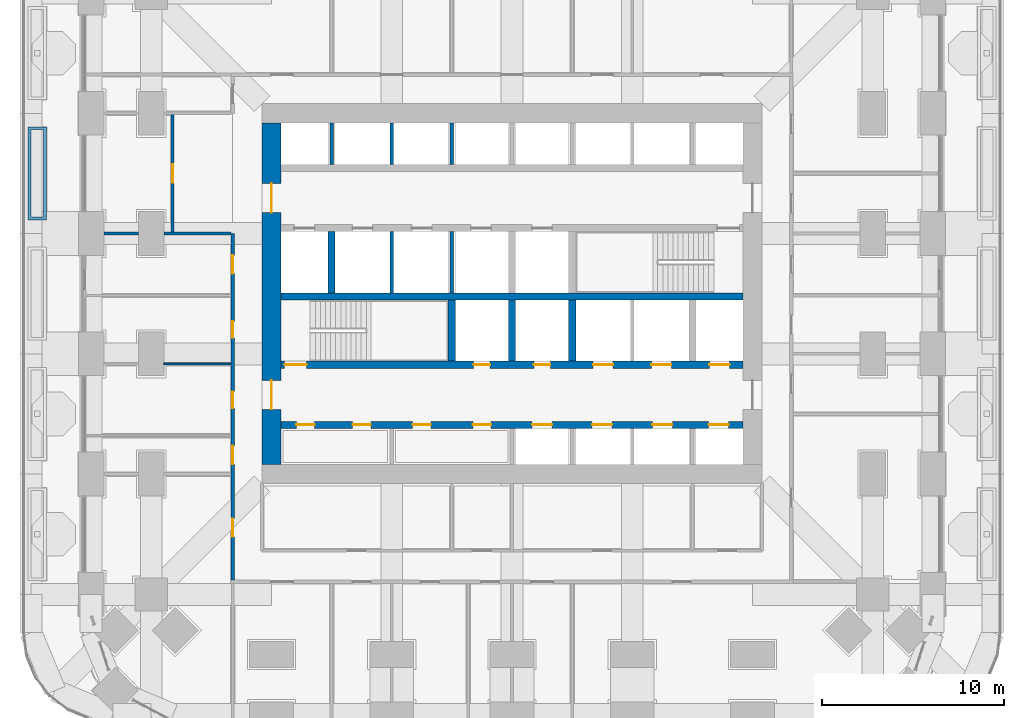
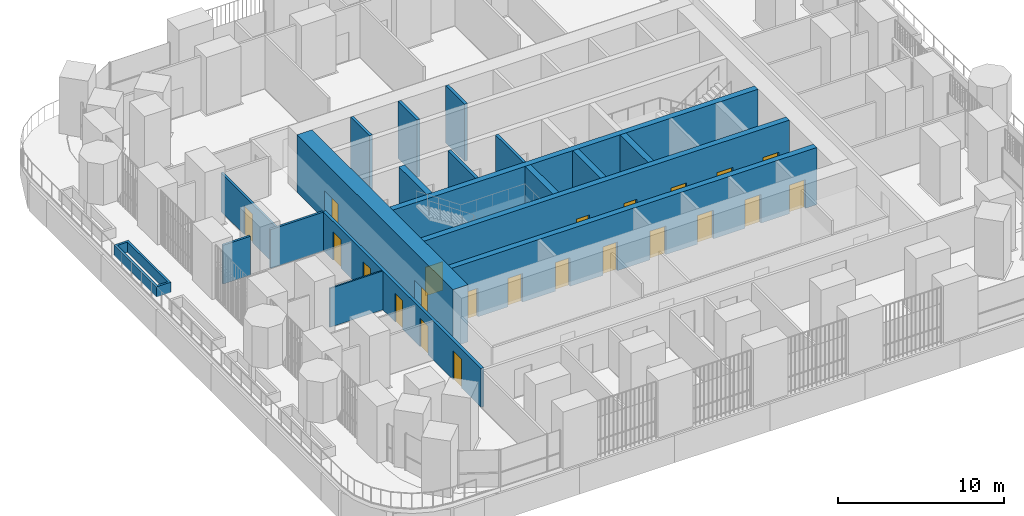
# One storey, part 18 of 27: 22 doors, 19 walls, 22 openings.
"""IFC4 building model written with IfcOpenShell, lengths in metres."""

from ifc_helpers import new_model, si_unit, direction, frame, frame_2d, origin, place, context, subcontext, project, spatial, polyline, rectangle, outline, extrude, material, layer, layer_set, type_object, element, fill, save


model = new_model("IFC4")

# Units and contexts
model_context = context("Model", 3, precision=1e-05, world=origin(), true_north=direction((0.0, 1.0)))
body_context = subcontext(model_context, "Body", "Model", "MODEL_VIEW")
ifc_project = project(units=[si_unit("LENGTHUNIT", "METRE"), si_unit("AREAUNIT", "SQUARE_METRE"), si_unit("VOLUMEUNIT", "CUBIC_METRE"), si_unit("PLANEANGLEUNIT", "RADIAN"), si_unit("MASSUNIT", "GRAM", prefix="KILO")], contexts=[model_context])

# Site, building, storey
site_placement = place(None, origin())
site = spatial("IfcSite", under=ifc_project, at=site_placement, CompositionType="ELEMENT")
building_placement = place(site_placement, origin())
building = spatial("IfcBuilding", under=site, at=building_placement, Name="Cobogo Forest Laboratory Tower", CompositionType="ELEMENT")
storey_placement = place(building_placement, frame((0.0, 0.0, 82.199951171875)))
storey = spatial("IfcBuildingStorey", under=building, at=storey_placement, Name="L18", CompositionType="ELEMENT", Elevation=82.199951171875)

# Wall, openings, doors
ifc_material_1 = material(Name="Concrete HA-50 (C50/60)", Category="concrete")
ifc_layer_1 = layer(ifc_material_1, 0.39990234375)
ifc_layer_set_1 = layer_set([ifc_layer_1], Name="CI400 core inner wall 400")
wall_type_1 = type_object("IfcWallType", Name="CI400 core inner wall 400", PredefinedType="SHEAR", material=ifc_layer_set_1)
wall_1_placement = place(storey_placement, frame((13.72509765625, 15.89990234375, 0.0), z_axis=(0.0, 0.0, 1.0), x_axis=(1.0, 0.0, 0.0)))
wall_1 = element("IfcWall", 1, at=wall_1_placement, inside=storey, type_object=wall_type_1, Name="Core wall CI-15.9 L18", PredefinedType="SHEAR", context=body_context, shape_type="SweptSolid", body=[
    extrude(rectangle(XDim=25.349853515625, YDim=0.39990234375, at=frame_2d((12.6748046875, 0.0))), origin(), (0.0, 0.0, 1.0), 4.199951171875),
])
opening_1_placement = place(wall_1_placement, frame((0.83740234375, 0.0, 0.0)))
opening_1 = element("IfcOpeningElement", 2, at=opening_1_placement, cuts=wall_1, Name="Opening L18-D14", PredefinedType="OPENING", context=body_context, shape_type="SweptSolid", body=[
    extrude(rectangle(XDim=1.0, YDim=2.10009765625, at=frame_2d((0.5, 1.050048828125))), frame((0.0, 0.2099609375, 0.0), z_axis=(0.0, -1.0, 0.0), x_axis=(1.0, 0.0, 0.0)), (0.0, 0.0, 1.0), 0.419921875),
])
opening_2_placement = place(wall_1_placement, frame((3.925048828125, 0.0, 0.0)))
opening_2 = element("IfcOpeningElement", 3, at=opening_2_placement, cuts=wall_1, Name="Opening L18-D15", PredefinedType="OPENING", context=body_context, shape_type="SweptSolid", body=[
    extrude(rectangle(XDim=1.0, YDim=2.10009765625, at=frame_2d((0.5, 1.050048828125))), frame((0.0, 0.2099609375, 0.0), z_axis=(0.0, -1.0, 0.0), x_axis=(1.0, 0.0, 0.0)), (0.0, 0.0, 1.0), 0.419921875),
])
opening_3_placement = place(wall_1_placement, frame((7.22509765625, 0.0, 0.0)))
opening_3 = element("IfcOpeningElement", 4, at=opening_3_placement, cuts=wall_1, Name="Opening L18-D16", PredefinedType="OPENING", context=body_context, shape_type="SweptSolid", body=[
    extrude(rectangle(XDim=1.0, YDim=2.10009765625, at=frame_2d((0.5, 1.050048828125))), frame((0.0, 0.2099609375, 0.0), z_axis=(0.0, -1.0, 0.0), x_axis=(1.0, 0.0, 0.0)), (0.0, 0.0, 1.0), 0.419921875),
])
opening_4_placement = place(wall_1_placement, frame((10.52490234375, 0.0, 0.0)))
opening_4 = element("IfcOpeningElement", 5, at=opening_4_placement, cuts=wall_1, Name="Opening L18-D17", PredefinedType="OPENING", context=body_context, shape_type="SweptSolid", body=[
    extrude(rectangle(XDim=1.0, YDim=2.10009765625, at=frame_2d((0.5, 1.050048828125))), frame((0.0, 0.2099609375, 0.0), z_axis=(0.0, -1.0, 0.0), x_axis=(1.0, 0.0, 0.0)), (0.0, 0.0, 1.0), 0.419921875),
])
opening_5_placement = place(wall_1_placement, frame((13.77490234375, 0.0, 0.0)))
opening_5 = element("IfcOpeningElement", 6, at=opening_5_placement, cuts=wall_1, Name="Opening L18-LD-LB1", PredefinedType="OPENING", context=body_context, shape_type="SweptSolid", body=[
    extrude(rectangle(XDim=1.10009765625, YDim=2.10009765625, at=frame_2d((0.550048828125, 1.050048828125))), frame((0.0, 0.2099609375, 0.0), z_axis=(0.0, -1.0, 0.0), x_axis=(1.0, 0.0, 0.0)), (0.0, 0.0, 1.0), 0.419921875),
])
opening_6_placement = place(wall_1_placement, frame((17.074951171875, 0.0, 0.0)))
opening_6 = element("IfcOpeningElement", 7, at=opening_6_placement, cuts=wall_1, Name="Opening L18-LD-LB2", PredefinedType="OPENING", context=body_context, shape_type="SweptSolid", body=[
    extrude(rectangle(XDim=1.10009765625, YDim=2.10009765625, at=frame_2d((0.550048828125, 1.050048828125))), frame((0.0, 0.2099609375, 0.0), z_axis=(0.0, -1.0, 0.0), x_axis=(1.0, 0.0, 0.0)), (0.0, 0.0, 1.0), 0.419921875),
])
opening_7_placement = place(wall_1_placement, frame((20.375, 0.0, 0.0)))
opening_7 = element("IfcOpeningElement", 8, at=opening_7_placement, cuts=wall_1, Name="Opening L18-LD-LB3", PredefinedType="OPENING", context=body_context, shape_type="SweptSolid", body=[
    extrude(rectangle(XDim=1.10009765625, YDim=2.10009765625, at=frame_2d((0.550048828125, 1.050048828125))), frame((0.0, 0.2099609375, 0.0), z_axis=(0.0, -1.0, 0.0), x_axis=(1.0, 0.0, 0.0)), (0.0, 0.0, 1.0), 0.419921875),
])
opening_8_placement = place(wall_1_placement, frame((23.46240234375, 0.0, 0.0)))
opening_8 = element("IfcOpeningElement", 9, at=opening_8_placement, cuts=wall_1, Name="Opening L18-LD-LB4", PredefinedType="OPENING", context=body_context, shape_type="SweptSolid", body=[
    extrude(rectangle(XDim=1.10009765625, YDim=2.10009765625, at=frame_2d((0.550048828125, 1.050048828125))), frame((0.0, 0.2099609375, 0.0), z_axis=(0.0, -1.0, 0.0), x_axis=(1.0, 0.0, 0.0)), (0.0, 0.0, 1.0), 0.419921875),
])
ifc_material_2 = material(Name="Steel fire door", Category="steel")
door_type_1 = type_object("IfcDoorType", Name="FD1 fire door 1000 EI2 60", OperationType="SINGLE_SWING_LEFT", PredefinedType="DOOR", material=ifc_material_2)
door_1_placement = place(opening_1_placement, origin())
door_1 = element("IfcDoor", 10, at=door_1_placement, inside=storey, type_object=door_type_1, Name="Door L18-SH-LA1", OperationType="SINGLE_SWING_LEFT", OverallHeight=2.10009765625, OverallWidth=1.0, PredefinedType="DOOR", context=body_context, shape_type="SweptSolid", body=[
    extrude(rectangle(XDim=1.0, YDim=2.10009765625, at=frame_2d((0.5, 1.050048828125))), frame((0.0, 0.02490234375, 0.0), z_axis=(0.0, -1.0, 0.0), x_axis=(1.0, 0.0, 0.0)), (0.0, 0.0, 1.0), 0.050048828125),
])
fill(opening_1, door_1)
door_2_placement = place(opening_2_placement, origin())
door_2 = element("IfcDoor", 11, at=door_2_placement, inside=storey, type_object=door_type_1, Name="Door L18-SH-LA2", OperationType="SINGLE_SWING_LEFT", OverallHeight=2.10009765625, OverallWidth=1.0, PredefinedType="DOOR", context=body_context, shape_type="SweptSolid", body=[
    extrude(rectangle(XDim=1.0, YDim=2.10009765625, at=frame_2d((0.5, 1.050048828125))), frame((0.0, 0.02490234375, 0.0), z_axis=(0.0, -1.0, 0.0), x_axis=(1.0, 0.0, 0.0)), (0.0, 0.0, 1.0), 0.050048828125),
])
fill(opening_2, door_2)
door_3_placement = place(opening_3_placement, origin())
door_3 = element("IfcDoor", 12, at=door_3_placement, inside=storey, type_object=door_type_1, Name="Door L18-SH-LA3", OperationType="SINGLE_SWING_LEFT", OverallHeight=2.10009765625, OverallWidth=1.0, PredefinedType="DOOR", context=body_context, shape_type="SweptSolid", body=[
    extrude(rectangle(XDim=1.0, YDim=2.10009765625, at=frame_2d((0.5, 1.050048828125))), frame((0.0, 0.02490234375, 0.0), z_axis=(0.0, -1.0, 0.0), x_axis=(1.0, 0.0, 0.0)), (0.0, 0.0, 1.0), 0.050048828125),
])
fill(opening_3, door_3)
door_4_placement = place(opening_4_placement, origin())
door_4 = element("IfcDoor", 13, at=door_4_placement, inside=storey, type_object=door_type_1, Name="Door L18-SH-LA4", OperationType="SINGLE_SWING_LEFT", OverallHeight=2.10009765625, OverallWidth=1.0, PredefinedType="DOOR", context=body_context, shape_type="SweptSolid", body=[
    extrude(rectangle(XDim=1.0, YDim=2.10009765625, at=frame_2d((0.5, 1.050048828125))), frame((0.0, 0.02490234375, 0.0), z_axis=(0.0, -1.0, 0.0), x_axis=(1.0, 0.0, 0.0)), (0.0, 0.0, 1.0), 0.050048828125),
])
fill(opening_4, door_4)
ifc_material_3 = material(Name="Stainless steel lift door", Category="steel")
door_type_2 = type_object("IfcDoorType", Name="LD lift landing door 1100", OperationType="DOUBLE_DOOR_SLIDING", PredefinedType="DOOR", material=ifc_material_3)
door_5_placement = place(opening_5_placement, origin())
door_5 = element("IfcDoor", 14, at=door_5_placement, inside=storey, type_object=door_type_2, Name="Lift landing door LB1 L18", OperationType="DOUBLE_DOOR_SLIDING", OverallHeight=2.10009765625, OverallWidth=1.10009765625, PredefinedType="DOOR", context=body_context, shape_type="SweptSolid", body=[
    extrude(rectangle(XDim=1.10009765625, YDim=2.10009765625, at=frame_2d((0.550048828125, 1.050048828125))), frame((0.0, 0.02490234375, 0.0), z_axis=(0.0, -1.0, 0.0), x_axis=(1.0, 0.0, 0.0)), (0.0, 0.0, 1.0), 0.050048828125),
])
fill(opening_5, door_5)
door_6_placement = place(opening_6_placement, origin())
door_6 = element("IfcDoor", 15, at=door_6_placement, inside=storey, type_object=door_type_2, Name="Lift landing door LB2 L18", OperationType="DOUBLE_DOOR_SLIDING", OverallHeight=2.10009765625, OverallWidth=1.10009765625, PredefinedType="DOOR", context=body_context, shape_type="SweptSolid", body=[
    extrude(rectangle(XDim=1.10009765625, YDim=2.10009765625, at=frame_2d((0.550048828125, 1.050048828125))), frame((0.0, 0.02490234375, 0.0), z_axis=(0.0, -1.0, 0.0), x_axis=(1.0, 0.0, 0.0)), (0.0, 0.0, 1.0), 0.050048828125),
])
fill(opening_6, door_6)
door_7_placement = place(opening_7_placement, origin())
door_7 = element("IfcDoor", 16, at=door_7_placement, inside=storey, type_object=door_type_2, Name="Lift landing door LB3 L18", OperationType="DOUBLE_DOOR_SLIDING", OverallHeight=2.10009765625, OverallWidth=1.10009765625, PredefinedType="DOOR", context=body_context, shape_type="SweptSolid", body=[
    extrude(rectangle(XDim=1.10009765625, YDim=2.10009765625, at=frame_2d((0.550048828125, 1.050048828125))), frame((0.0, 0.02490234375, 0.0), z_axis=(0.0, -1.0, 0.0), x_axis=(1.0, 0.0, 0.0)), (0.0, 0.0, 1.0), 0.050048828125),
])
fill(opening_7, door_7)
door_8_placement = place(opening_8_placement, origin())
door_8 = element("IfcDoor", 17, at=door_8_placement, inside=storey, type_object=door_type_2, Name="Lift landing door LB4 L18", OperationType="DOUBLE_DOOR_SLIDING", OverallHeight=2.10009765625, OverallWidth=1.10009765625, PredefinedType="DOOR", context=body_context, shape_type="SweptSolid", body=[
    extrude(rectangle(XDim=1.10009765625, YDim=2.10009765625, at=frame_2d((0.550048828125, 1.050048828125))), frame((0.0, 0.02490234375, 0.0), z_axis=(0.0, -1.0, 0.0), x_axis=(1.0, 0.0, 0.0)), (0.0, 0.0, 1.0), 0.050048828125),
])
fill(opening_8, door_8)

wall_2_placement = place(storey_placement, frame((13.72509765625, 19.199951171875, 0.0), z_axis=(0.0, 0.0, 1.0), x_axis=(1.0, 0.0, 0.0)))
wall_2 = element("IfcWall", 18, at=wall_2_placement, inside=storey, type_object=wall_type_1, Name="Core wall CI-19.2 L18", PredefinedType="SHEAR", context=body_context, shape_type="SweptSolid", body=[
    extrude(rectangle(XDim=25.349853515625, YDim=0.39990234375, at=frame_2d((12.6748046875, 0.0))), origin(), (0.0, 0.0, 1.0), 4.199951171875),
])
opening_9_placement = place(wall_2_placement, frame((10.574951171875, 0.0, 0.0)))
opening_9 = element("IfcOpeningElement", 19, at=opening_9_placement, cuts=wall_2, Name="Opening L18-D23", PredefinedType="OPENING", context=body_context, shape_type="SweptSolid", body=[
    extrude(rectangle(XDim=0.89990234375, YDim=2.10009765625, at=frame_2d((0.449951171875, 1.050048828125))), frame((0.0, 0.2099609375, 0.0), z_axis=(0.0, -1.0, 0.0), x_axis=(1.0, 0.0, 0.0)), (0.0, 0.0, 1.0), 0.419921875),
])
opening_10_placement = place(wall_2_placement, frame((13.875, 0.0, 0.0)))
opening_10 = element("IfcOpeningElement", 20, at=opening_10_placement, cuts=wall_2, Name="Opening L18-D24", PredefinedType="OPENING", context=body_context, shape_type="SweptSolid", body=[
    extrude(rectangle(XDim=0.89990234375, YDim=2.10009765625, at=frame_2d((0.449951171875, 1.050048828125))), frame((0.0, 0.2099609375, 0.0), z_axis=(0.0, -1.0, 0.0), x_axis=(1.0, 0.0, 0.0)), (0.0, 0.0, 1.0), 0.419921875),
])
opening_11_placement = place(wall_2_placement, frame((0.199951171875, 0.0, 0.0)))
opening_11 = element("IfcOpeningElement", 21, at=opening_11_placement, cuts=wall_2, Name="Opening L18-D22", PredefinedType="OPENING", context=body_context, shape_type="SweptSolid", body=[
    extrude(rectangle(XDim=1.199951171875, YDim=2.10009765625, at=frame_2d((0.60009765625, 1.050048828125))), frame((0.0, 0.2099609375, 0.0), z_axis=(0.0, -1.0, 0.0), x_axis=(1.0, 0.0, 0.0)), (0.0, 0.0, 1.0), 0.419921875),
])
opening_12_placement = place(wall_2_placement, frame((23.512451171875, 0.0, 0.0)))
opening_12 = element("IfcOpeningElement", 22, at=opening_12_placement, cuts=wall_2, Name="Opening L18-LD-FL2", PredefinedType="OPENING", context=body_context, shape_type="SweptSolid", body=[
    extrude(rectangle(XDim=1.10009765625, YDim=2.10009765625, at=frame_2d((0.550048828125, 1.050048828125))), frame((0.0, 0.2099609375, 0.0), z_axis=(0.0, -1.0, 0.0), x_axis=(1.0, 0.0, 0.0)), (0.0, 0.0, 1.0), 0.419921875),
])
opening_13_placement = place(wall_2_placement, frame((17.125, 0.0, 0.0)))
opening_13 = element("IfcOpeningElement", 23, at=opening_13_placement, cuts=wall_2, Name="Opening L18-LD-LS1", PredefinedType="OPENING", context=body_context, shape_type="SweptSolid", body=[
    extrude(rectangle(XDim=1.10009765625, YDim=2.10009765625, at=frame_2d((0.550048828125, 1.050048828125))), frame((0.0, 0.2099609375, 0.0), z_axis=(0.0, -1.0, 0.0), x_axis=(1.0, 0.0, 0.0)), (0.0, 0.0, 1.0), 0.419921875),
])
opening_14_placement = place(wall_2_placement, frame((20.324951171875, 0.0, 0.0)))
opening_14 = element("IfcOpeningElement", 24, at=opening_14_placement, cuts=wall_2, Name="Opening L18-LD-LS2", PredefinedType="OPENING", context=body_context, shape_type="SweptSolid", body=[
    extrude(rectangle(XDim=1.10009765625, YDim=2.10009765625, at=frame_2d((0.550048828125, 1.050048828125))), frame((0.0, 0.2099609375, 0.0), z_axis=(0.0, -1.0, 0.0), x_axis=(1.0, 0.0, 0.0)), (0.0, 0.0, 1.0), 0.419921875),
])
door_type_3 = type_object("IfcDoorType", Name="DS1 protected stair door 1200 EI2 60", OperationType="SINGLE_SWING_LEFT", PredefinedType="DOOR", material=ifc_material_2)
door_9_placement = place(opening_11_placement, origin())
door_9 = element("IfcDoor", 25, at=door_9_placement, inside=storey, type_object=door_type_3, Name="Door L18-ST1", OperationType="SINGLE_SWING_LEFT", OverallHeight=2.10009765625, OverallWidth=1.199951171875, PredefinedType="DOOR", context=body_context, shape_type="SweptSolid", body=[
    extrude(rectangle(XDim=1.199951171875, YDim=2.10009765625, at=frame_2d((0.60009765625, 1.050048828125))), frame((0.0, 0.02490234375, 0.0), z_axis=(0.0, -1.0, 0.0), x_axis=(1.0, 0.0, 0.0)), (0.0, 0.0, 1.0), 0.050048828125),
])
fill(opening_11, door_9)
door_type_4 = type_object("IfcDoorType", Name="FD4 riser access door 900 EI2 60", OperationType="SINGLE_SWING_LEFT", PredefinedType="DOOR", material=ifc_material_2)
door_10_placement = place(opening_9_placement, origin())
door_10 = element("IfcDoor", 26, at=door_10_placement, inside=storey, type_object=door_type_4, Name="Door L18-R1", OperationType="SINGLE_SWING_LEFT", OverallHeight=2.10009765625, OverallWidth=0.89990234375, PredefinedType="DOOR", context=body_context, shape_type="SweptSolid", body=[
    extrude(rectangle(XDim=0.89990234375, YDim=2.10009765625, at=frame_2d((0.449951171875, 1.050048828125))), frame((0.0, 0.02490234375, 0.0), z_axis=(0.0, -1.0, 0.0), x_axis=(1.0, 0.0, 0.0)), (0.0, 0.0, 1.0), 0.050048828125),
])
fill(opening_9, door_10)
door_11_placement = place(opening_10_placement, origin())
door_11 = element("IfcDoor", 27, at=door_11_placement, inside=storey, type_object=door_type_4, Name="Door L18-R2", OperationType="SINGLE_SWING_RIGHT", OverallHeight=2.10009765625, OverallWidth=0.89990234375, PredefinedType="DOOR", context=body_context, shape_type="SweptSolid", body=[
    extrude(rectangle(XDim=0.89990234375, YDim=2.10009765625, at=frame_2d((0.449951171875, 1.050048828125))), frame((0.0, 0.02490234375, 0.0), z_axis=(0.0, -1.0, 0.0), x_axis=(1.0, 0.0, 0.0)), (0.0, 0.0, 1.0), 0.050048828125),
])
fill(opening_10, door_11)
door_12_placement = place(opening_12_placement, origin())
door_12 = element("IfcDoor", 28, at=door_12_placement, inside=storey, type_object=door_type_2, Name="Lift landing door FL2 L18", OperationType="DOUBLE_DOOR_SLIDING", OverallHeight=2.10009765625, OverallWidth=1.10009765625, PredefinedType="DOOR", context=body_context, shape_type="SweptSolid", body=[
    extrude(rectangle(XDim=1.10009765625, YDim=2.10009765625, at=frame_2d((0.550048828125, 1.050048828125))), frame((0.0, 0.02490234375, 0.0), z_axis=(0.0, -1.0, 0.0), x_axis=(1.0, 0.0, 0.0)), (0.0, 0.0, 1.0), 0.050048828125),
])
fill(opening_12, door_12)
door_13_placement = place(opening_13_placement, origin())
door_13 = element("IfcDoor", 29, at=door_13_placement, inside=storey, type_object=door_type_2, Name="Lift landing door LS1 L18", OperationType="DOUBLE_DOOR_SLIDING", OverallHeight=2.10009765625, OverallWidth=1.10009765625, PredefinedType="DOOR", context=body_context, shape_type="SweptSolid", body=[
    extrude(rectangle(XDim=1.10009765625, YDim=2.10009765625, at=frame_2d((0.550048828125, 1.050048828125))), frame((0.0, 0.02490234375, 0.0), z_axis=(0.0, -1.0, 0.0), x_axis=(1.0, 0.0, 0.0)), (0.0, 0.0, 1.0), 0.050048828125),
])
fill(opening_13, door_13)
door_14_placement = place(opening_14_placement, origin())
door_14 = element("IfcDoor", 30, at=door_14_placement, inside=storey, type_object=door_type_2, Name="Lift landing door LS2 L18", OperationType="DOUBLE_DOOR_SLIDING", OverallHeight=2.10009765625, OverallWidth=1.10009765625, PredefinedType="DOOR", context=body_context, shape_type="SweptSolid", body=[
    extrude(rectangle(XDim=1.10009765625, YDim=2.10009765625, at=frame_2d((0.550048828125, 1.050048828125))), frame((0.0, 0.02490234375, 0.0), z_axis=(0.0, -1.0, 0.0), x_axis=(1.0, 0.0, 0.0)), (0.0, 0.0, 1.0), 0.050048828125),
])
fill(opening_14, door_14)

# Walls
wall_3_placement = place(storey_placement, frame((13.72509765625, 22.949951171875, 0.0), z_axis=(0.0, 0.0, 1.0), x_axis=(1.0, 0.0, 0.0)))
element("IfcWall", 31, at=wall_3_placement, inside=storey, type_object=wall_type_1, Name="Core wall CI-22.95 L18", PredefinedType="SHEAR", context=body_context, shape_type="SweptSolid", body=[
    extrude(rectangle(XDim=25.349853515625, YDim=0.39990234375, at=frame_2d((12.6748046875, 0.0))), origin(), (0.0, 0.0, 1.0), 4.199951171875),
])
for number, where, z_axis, x_axis, name in (
    (32, (23.10009765625, 19.39990234375, 0.0), (0.0, 0.0, 1.0), (0.0, 1.0, 0.0), "Core wall CX-23.1 L18"),
    (33, (26.39990234375, 19.39990234375, 0.0), (0.0, 0.0, 1.0), (0.0, 1.0, 0.0), "Core wall CX-26.4S L18"),
    (34, (29.699951171875, 19.39990234375, 0.0), (0.0, 0.0, 1.0), (0.0, 1.0, 0.0), "Core wall CX-29.7S L18"),
    (35, (16.5, 23.14990234375, 0.0), (0.0, 0.0, 1.0), (0.0, 1.0, 0.0), "Core wall CX-16.5 L18"),
):
    element("IfcWall", number, at=place(storey_placement, frame(where, z_axis=z_axis, x_axis=x_axis)), inside=storey, type_object=wall_type_1, Name=name, PredefinedType="SHEAR", context=body_context, shape_type="SweptSolid", body=[
        extrude(rectangle(XDim=3.35009765625, YDim=0.39990234375, at=frame_2d((1.675048828125, 0.0))), origin(), (0.0, 0.0, 1.0), 4.199951171875),
    ])

# Wall, openings, doors
ifc_layer_2 = layer(ifc_material_1, 1.050048828125)
ifc_layer_set_2 = layer_set([ifc_layer_2], Name="CW1050 core outer wall 1050")
wall_type_2 = type_object("IfcWallType", Name="CW1050 core outer wall 1050", PredefinedType="SHEAR", material=ifc_layer_set_2)
wall_4_placement = place(storey_placement, frame((13.199951171875, 32.47509765625, 0.0), z_axis=(0.0, 0.0, 1.0), x_axis=(0.0, -1.0, 0.0)))
wall_4 = element("IfcWall", 36, at=wall_4_placement, inside=storey, type_object=wall_type_2, Name="Core wall CO-W L18", PredefinedType="SHEAR", context=body_context, shape_type="SweptSolid", body=[
    extrude(rectangle(XDim=18.75, YDim=1.050048828125, at=frame_2d((9.375, 0.0))), origin(), (0.0, 0.0, 1.0), 4.199951171875),
])
opening_15_placement = place(wall_4_placement, frame((14.125, 0.0, 0.0)))
opening_15 = element("IfcOpeningElement", 37, at=opening_15_placement, cuts=wall_4, Name="Opening L18-D19", PredefinedType="OPENING", context=body_context, shape_type="SweptSolid", body=[
    extrude(rectangle(XDim=1.60009765625, YDim=2.10009765625, at=frame_2d((0.800048828125, 1.050048828125))), frame((0.0, 0.534912109375, 0.0), z_axis=(0.0, -1.0, 0.0), x_axis=(1.0, 0.0, 0.0)), (0.0, 0.0, 1.0), 1.070068359375),
])
opening_16_placement = place(wall_4_placement, frame((3.324951171875, 0.0, 0.0)))
opening_16 = element("IfcOpeningElement", 38, at=opening_16_placement, cuts=wall_4, Name="Opening L18-D33", PredefinedType="OPENING", context=body_context, shape_type="SweptSolid", body=[
    extrude(rectangle(XDim=1.60009765625, YDim=2.10009765625, at=frame_2d((0.800048828125, 1.050048828125))), frame((0.0, 0.534912109375, 0.0), z_axis=(0.0, -1.0, 0.0), x_axis=(1.0, 0.0, 0.0)), (0.0, 0.0, 1.0), 1.070068359375),
])
door_type_5 = type_object("IfcDoorType", Name="DS2 protected lobby door pair 1600 EI2 60", OperationType="DOUBLE_DOOR_DOUBLE_SWING", PredefinedType="DOOR", material=ifc_material_2)
door_15_placement = place(opening_15_placement, origin())
door_15 = element("IfcDoor", 39, at=door_15_placement, inside=storey, type_object=door_type_5, Name="Door L18-CO-W-S", OperationType="DOUBLE_DOOR_DOUBLE_SWING", OverallHeight=2.10009765625, OverallWidth=1.60009765625, PredefinedType="DOOR", context=body_context, shape_type="SweptSolid", body=[
    extrude(rectangle(XDim=1.60009765625, YDim=2.10009765625, at=frame_2d((0.800048828125, 1.050048828125))), frame((0.0, 0.02490234375, 0.0), z_axis=(0.0, -1.0, 0.0), x_axis=(1.0, 0.0, 0.0)), (0.0, 0.0, 1.0), 0.050048828125),
])
fill(opening_15, door_15)
door_16_placement = place(opening_16_placement, origin())
door_16 = element("IfcDoor", 40, at=door_16_placement, inside=storey, type_object=door_type_5, Name="Door L18-CO-W-N", OperationType="DOUBLE_DOOR_DOUBLE_SWING", OverallHeight=2.10009765625, OverallWidth=1.60009765625, PredefinedType="DOOR", context=body_context, shape_type="SweptSolid", body=[
    extrude(rectangle(XDim=1.60009765625, YDim=2.10009765625, at=frame_2d((0.800048828125, 1.050048828125))), frame((0.0, 0.02490234375, 0.0), z_axis=(0.0, -1.0, 0.0), x_axis=(1.0, 0.0, 0.0)), (0.0, 0.0, 1.0), 0.050048828125),
])
fill(opening_16, door_16)

# Wall, opening, door
ifc_material_4 = material(Name="Gypsum board on steel studs", Category="steel")
ifc_layer_3 = layer(ifc_material_4, 0.14990234375)
ifc_layer_set_3 = layer_set([ifc_layer_3], Name="PT1 laboratory partition 150")
wall_type_3 = type_object("IfcWallType", Name="PT1 laboratory partition 150", PredefinedType="PARTITIONING", material=ifc_layer_set_3)
wall_5_placement = place(storey_placement, frame((7.77490234375, 26.39990234375, 0.0), z_axis=(0.0, 0.0, 1.0), x_axis=(0.0, 1.0, 0.0)))
wall_5 = element("IfcWall", 41, at=wall_5_placement, inside=storey, type_object=wall_type_3, Name="Partition NODE-W-1 L18", PredefinedType="PARTITIONING", context=body_context, shape_type="SweptSolid", body=[
    extrude(rectangle(XDim=6.60009765625, YDim=0.14990234375, at=frame_2d((3.300048828125, 0.0))), origin(), (0.0, 0.0, 1.0), 2.85009765625),
])
opening_17_placement = place(wall_5_placement, frame((2.800048828125, 0.0, 0.0)))
opening_17 = element("IfcOpeningElement", 42, at=opening_17_placement, cuts=wall_5, Name="Opening L18-D35", PredefinedType="OPENING", context=body_context, shape_type="SweptSolid", body=[
    extrude(rectangle(XDim=1.0, YDim=2.10009765625, at=frame_2d((0.5, 1.050048828125))), frame((0.0, 0.0849609375, 0.0), z_axis=(0.0, -1.0, 0.0), x_axis=(1.0, 0.0, 0.0)), (0.0, 0.0, 1.0), 0.169921875),
])
ifc_material_5 = material(Name="Timber fire door", Category="wood")
door_type_6 = type_object("IfcDoorType", Name="FD2 fire door 1000 EI2 30", OperationType="SINGLE_SWING_LEFT", PredefinedType="DOOR", material=ifc_material_5)
door_17_placement = place(opening_17_placement, origin())
door_17 = element("IfcDoor", 43, at=door_17_placement, inside=storey, type_object=door_type_6, Name="Door L18-W3", OperationType="SINGLE_SWING_RIGHT", OverallHeight=2.10009765625, OverallWidth=1.0, PredefinedType="DOOR", context=body_context, shape_type="SweptSolid", body=[
    extrude(rectangle(XDim=1.0, YDim=2.10009765625, at=frame_2d((0.5, 1.050048828125))), frame((0.0, 0.02490234375, 0.0), z_axis=(0.0, -1.0, 0.0), x_axis=(1.0, 0.0, 0.0)), (0.0, 0.0, 1.0), 0.050048828125),
])
fill(opening_17, door_17)

# Walls
wall_6_placement = place(storey_placement, frame((4.0, 26.39990234375, 0.0), z_axis=(0.0, 0.0, 1.0), x_axis=(1.0, 0.0, 0.0)))
element("IfcWall", 44, at=wall_6_placement, inside=storey, type_object=wall_type_3, Name="Partition CUT-W26.4-1 L18", PredefinedType="PARTITIONING", context=body_context, shape_type="SweptSolid", body=[
    extrude(rectangle(XDim=1.89990234375, YDim=0.14990234375, at=frame_2d((0.949951171875, 0.0))), origin(), (0.0, 0.0, 1.0), 2.85009765625),
])
wall_7_placement = place(storey_placement, frame((7.300048828125, 26.39990234375, 0.0), z_axis=(0.0, 0.0, 1.0), x_axis=(1.0, 0.0, 0.0)))
element("IfcWall", 45, at=wall_7_placement, inside=storey, type_object=wall_type_3, Name="Partition CUT-W26.4-2 L18", PredefinedType="PARTITIONING", context=body_context, shape_type="SweptSolid", body=[
    extrude(rectangle(XDim=3.675048828125, YDim=0.14990234375, at=frame_2d((1.83740234375, 0.0))), origin(), (0.0, 0.0, 1.0), 2.85009765625),
])

# Wall, openings, doors
ifc_layer_4 = layer(ifc_material_4, 0.199951171875)
ifc_layer_set_4 = layer_set([ifc_layer_4], Name="PT2 fire-rated corridor partition 200")
wall_type_4 = type_object("IfcWallType", Name="PT2 fire-rated corridor partition 200", PredefinedType="PARTITIONING", material=ifc_layer_set_4)
wall_8_placement = place(storey_placement, frame((11.074951171875, 7.39990234375, 0.0), z_axis=(0.0, 0.0, 1.0), x_axis=(0.0, 1.0, 0.0)))
wall_8 = element("IfcWall", 46, at=wall_8_placement, inside=storey, type_object=wall_type_4, Name="Partition CORR-W-1 L18", PredefinedType="PARTITIONING", context=body_context, shape_type="SweptSolid", body=[
    extrude(rectangle(XDim=19.0, YDim=0.199951171875, at=frame_2d((9.5, 0.0))), origin(), (0.0, 0.0, 1.0), 2.85009765625),
])
opening_18_placement = place(wall_8_placement, frame((2.35009765625, 0.0, 0.0)))
opening_18 = element("IfcOpeningElement", 47, at=opening_18_placement, cuts=wall_8, Name="Opening L18-D11", PredefinedType="OPENING", context=body_context, shape_type="SweptSolid", body=[
    extrude(rectangle(XDim=1.0, YDim=2.10009765625, at=frame_2d((0.5, 1.050048828125))), frame((0.0, 0.10986328125, 0.0), z_axis=(0.0, -1.0, 0.0), x_axis=(1.0, 0.0, 0.0)), (0.0, 0.0, 1.0), 0.219970703125),
])
opening_19_placement = place(wall_8_placement, frame((6.35009765625, 0.0, 0.0)))
opening_19 = element("IfcOpeningElement", 48, at=opening_19_placement, cuts=wall_8, Name="Opening L18-D13", PredefinedType="OPENING", context=body_context, shape_type="SweptSolid", body=[
    extrude(rectangle(XDim=1.0, YDim=2.10009765625, at=frame_2d((0.5, 1.050048828125))), frame((0.0, 0.10986328125, 0.0), z_axis=(0.0, -1.0, 0.0), x_axis=(1.0, 0.0, 0.0)), (0.0, 0.0, 1.0), 0.219970703125),
])
opening_20_placement = place(wall_8_placement, frame((9.425048828125, 0.0, 0.0)))
opening_20 = element("IfcOpeningElement", 49, at=opening_20_placement, cuts=wall_8, Name="Opening L18-D18", PredefinedType="OPENING", context=body_context, shape_type="SweptSolid", body=[
    extrude(rectangle(XDim=0.89990234375, YDim=2.10009765625, at=frame_2d((0.449951171875, 1.050048828125))), frame((0.0, 0.10986328125, 0.0), z_axis=(0.0, -1.0, 0.0), x_axis=(1.0, 0.0, 0.0)), (0.0, 0.0, 1.0), 0.219970703125),
])
opening_21_placement = place(wall_8_placement, frame((13.27490234375, 0.0, 0.0)))
opening_21 = element("IfcOpeningElement", 50, at=opening_21_placement, cuts=wall_8, Name="Opening L18-D25", PredefinedType="OPENING", context=body_context, shape_type="SweptSolid", body=[
    extrude(rectangle(XDim=0.89990234375, YDim=2.10009765625, at=frame_2d((0.449951171875, 1.050048828125))), frame((0.0, 0.10986328125, 0.0), z_axis=(0.0, -1.0, 0.0), x_axis=(1.0, 0.0, 0.0)), (0.0, 0.0, 1.0), 0.219970703125),
])
opening_22_placement = place(wall_8_placement, frame((16.800048828125, 0.0, 0.0)))
opening_22 = element("IfcOpeningElement", 51, at=opening_22_placement, cuts=wall_8, Name="Opening L18-D29", PredefinedType="OPENING", context=body_context, shape_type="SweptSolid", body=[
    extrude(rectangle(XDim=1.0, YDim=2.10009765625, at=frame_2d((0.5, 1.050048828125))), frame((0.0, 0.10986328125, 0.0), z_axis=(0.0, -1.0, 0.0), x_axis=(1.0, 0.0, 0.0)), (0.0, 0.0, 1.0), 0.219970703125),
])
door_18_placement = place(opening_18_placement, origin())
door_18 = element("IfcDoor", 52, at=door_18_placement, inside=storey, type_object=door_type_6, Name="Door L18-W1", OperationType="SINGLE_SWING_LEFT", OverallHeight=2.10009765625, OverallWidth=1.0, PredefinedType="DOOR", context=body_context, shape_type="SweptSolid", body=[
    extrude(rectangle(XDim=1.0, YDim=2.10009765625, at=frame_2d((0.5, 1.050048828125))), frame((0.0, 0.02490234375, 0.0), z_axis=(0.0, -1.0, 0.0), x_axis=(1.0, 0.0, 0.0)), (0.0, 0.0, 1.0), 0.050048828125),
])
fill(opening_18, door_18)
door_19_placement = place(opening_22_placement, origin())
door_19 = element("IfcDoor", 53, at=door_19_placement, inside=storey, type_object=door_type_6, Name="Door L18-SHW", OperationType="SINGLE_SWING_RIGHT", OverallHeight=2.10009765625, OverallWidth=1.0, PredefinedType="DOOR", context=body_context, shape_type="SweptSolid", body=[
    extrude(rectangle(XDim=1.0, YDim=2.10009765625, at=frame_2d((0.5, 1.050048828125))), frame((0.0, 0.02490234375, 0.0), z_axis=(0.0, -1.0, 0.0), x_axis=(1.0, 0.0, 0.0)), (0.0, 0.0, 1.0), 0.050048828125),
])
fill(opening_22, door_19)
door_type_7 = type_object("IfcDoorType", Name="FD3 toilet fire door 900 EI2 30", OperationType="SINGLE_SWING_LEFT", PredefinedType="DOOR", material=ifc_material_5)
door_20_placement = place(opening_20_placement, origin())
door_20 = element("IfcDoor", 54, at=door_20_placement, inside=storey, type_object=door_type_7, Name="Door L18-WCF", OperationType="SINGLE_SWING_RIGHT", OverallHeight=2.10009765625, OverallWidth=0.89990234375, PredefinedType="DOOR", context=body_context, shape_type="SweptSolid", body=[
    extrude(rectangle(XDim=0.89990234375, YDim=2.10009765625, at=frame_2d((0.449951171875, 1.050048828125))), frame((0.0, 0.02490234375, 0.0), z_axis=(0.0, -1.0, 0.0), x_axis=(1.0, 0.0, 0.0)), (0.0, 0.0, 1.0), 0.050048828125),
])
fill(opening_20, door_20)
door_21_placement = place(opening_21_placement, origin())
door_21 = element("IfcDoor", 55, at=door_21_placement, inside=storey, type_object=door_type_7, Name="Door L18-WCM", OperationType="SINGLE_SWING_RIGHT", OverallHeight=2.10009765625, OverallWidth=0.89990234375, PredefinedType="DOOR", context=body_context, shape_type="SweptSolid", body=[
    extrude(rectangle(XDim=0.89990234375, YDim=2.10009765625, at=frame_2d((0.449951171875, 1.050048828125))), frame((0.0, 0.02490234375, 0.0), z_axis=(0.0, -1.0, 0.0), x_axis=(1.0, 0.0, 0.0)), (0.0, 0.0, 1.0), 0.050048828125),
])
fill(opening_21, door_21)
door_type_8 = type_object("IfcDoorType", Name="FDA1 accessible toilet fire door 1000 EI2 30", OperationType="SINGLE_SWING_RIGHT", PredefinedType="DOOR", material=ifc_material_5)
door_22_placement = place(opening_19_placement, origin())
door_22 = element("IfcDoor", 56, at=door_22_placement, inside=storey, type_object=door_type_8, Name="Door L18-WCA", OperationType="SINGLE_SWING_LEFT", OverallHeight=2.10009765625, OverallWidth=1.0, PredefinedType="DOOR", context=body_context, shape_type="SweptSolid", body=[
    extrude(rectangle(XDim=1.0, YDim=2.10009765625, at=frame_2d((0.5, 1.050048828125))), frame((0.0, 0.02490234375, 0.0), z_axis=(0.0, -1.0, 0.0), x_axis=(1.0, 0.0, 0.0)), (0.0, 0.0, 1.0), 0.050048828125),
])
fill(opening_19, door_22)

# Walls
ifc_layer_5 = layer(ifc_material_4, 0.10009765625)
ifc_layer_set_5 = layer_set([ifc_layer_5], Name="PT3 toilet partition 100")
wall_type_5 = type_object("IfcWallType", Name="PT3 toilet partition 100", PredefinedType="PARTITIONING", material=ifc_layer_set_5)
wall_9_placement = place(storey_placement, frame((7.300048828125, 19.25, 0.0), z_axis=(0.0, 0.0, 1.0), x_axis=(1.0, 0.0, 0.0)))
element("IfcWall", 57, at=wall_9_placement, inside=storey, type_object=wall_type_5, Name="Partition SVC-W2-2 L18", PredefinedType="PARTITIONING", context=body_context, shape_type="SweptSolid", body=[
    extrude(rectangle(XDim=3.675048828125, YDim=0.10009765625, at=frame_2d((1.83740234375, 0.0))), origin(), (0.0, 0.0, 1.0), 2.85009765625),
])
ifc_material_6 = material(Name="Concrete HA-40 (C40/50)", Category="concrete")
ifc_layer_6 = layer(ifc_material_6, 0.14990234375)
ifc_layer_set_6 = layer_set([ifc_layer_6], Name="Planter box 1000x750")
wall_type_6 = type_object("IfcWallType", Name="Planter box 1000x750", PredefinedType="USERDEFINED", material=ifc_layer_set_6)
wall_10_placement = place(storey_placement, origin())
element("IfcWall", 58, at=wall_10_placement, inside=storey, type_object=wall_type_6, Name="Terrace planter TER-W-4 L18", ObjectType="PLANTER", PredefinedType="USERDEFINED", context=body_context, shape_type="SweptSolid", body=[
    extrude(outline(polyline([(-0.14990234375, 27.14990234375), (0.85009765625, 27.14990234375), (0.85009765625, 32.25), (-0.14990234375, 32.25), (-0.14990234375, 27.14990234375)]), holes=[polyline([(0.0, 27.300048828125), (0.699951171875, 27.300048828125), (0.699951171875, 32.10009765625), (0.0, 32.10009765625), (0.0, 27.300048828125)])]), origin(), (0.0, 0.0, 1.0), 0.75),
])
ifc_material_7 = material(Name="Concrete block", Category="concrete")
ifc_layer_7 = layer(ifc_material_7, 0.199951171875)
ifc_layer_set_7 = layer_set([ifc_layer_7], Name="SW200 lift shaft separator 200")
wall_type_7 = type_object("IfcWallType", Name="SW200 lift shaft separator 200", PredefinedType="PARTITIONING", material=ifc_layer_set_7)
for number, where, z_axis, x_axis, name in (
    (59, (16.5, 30.199951171875, 0.0), (0.0, 0.0, 1.0), (0.0, 1.0, 0.0), "Core wall SEP-N1 L18"),
    (60, (19.800048828125, 30.199951171875, 0.0), (0.0, 0.0, 1.0), (0.0, 1.0, 0.0), "Core wall SEP-N2 L18"),
    (61, (23.10009765625, 30.199951171875, 0.0), (0.0, 0.0, 1.0), (0.0, 1.0, 0.0), "Core wall SEP-N3 L18"),
):
    element("IfcWall", number, at=place(storey_placement, frame(where, z_axis=z_axis, x_axis=x_axis)), inside=storey, type_object=wall_type_7, Name=name, PredefinedType="PARTITIONING", context=body_context, shape_type="SweptSolid", body=[
        extrude(rectangle(XDim=2.275146484375, YDim=0.199951171875, at=frame_2d((1.1376953125, 0.0))), origin(), (0.0, 0.0, 1.0), 4.199951171875),
    ])
for number, where, z_axis, x_axis, name in (
    (62, (19.800048828125, 23.14990234375, 0.0), (0.0, 0.0, 1.0), (0.0, 1.0, 0.0), "Core wall SEP-M19.8 L18"),
    (63, (23.10009765625, 23.14990234375, 0.0), (0.0, 0.0, 1.0), (0.0, 1.0, 0.0), "Core wall SEP-M23.1 L18"),
):
    element("IfcWall", number, at=place(storey_placement, frame(where, z_axis=z_axis, x_axis=x_axis)), inside=storey, type_object=wall_type_7, Name=name, PredefinedType="PARTITIONING", context=body_context, shape_type="SweptSolid", body=[
        extrude(rectangle(XDim=3.35009765625, YDim=0.199951171875, at=frame_2d((1.675048828125, 0.0))), origin(), (0.0, 0.0, 1.0), 4.199951171875),
    ])

save(model, "model.ifc")
